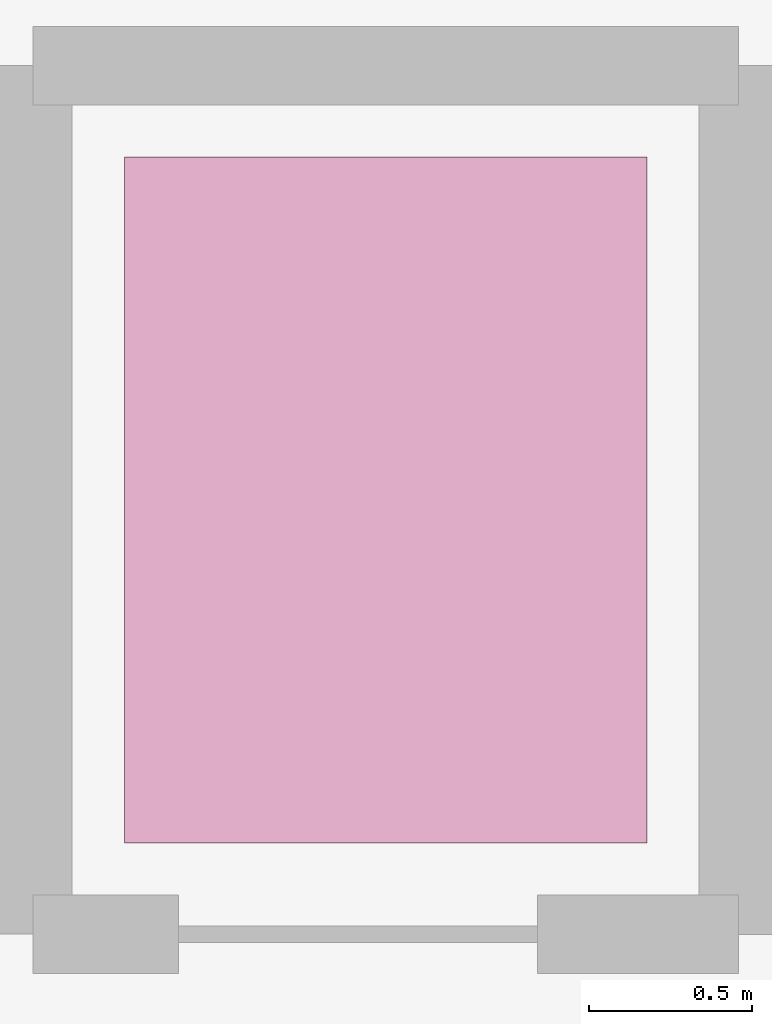
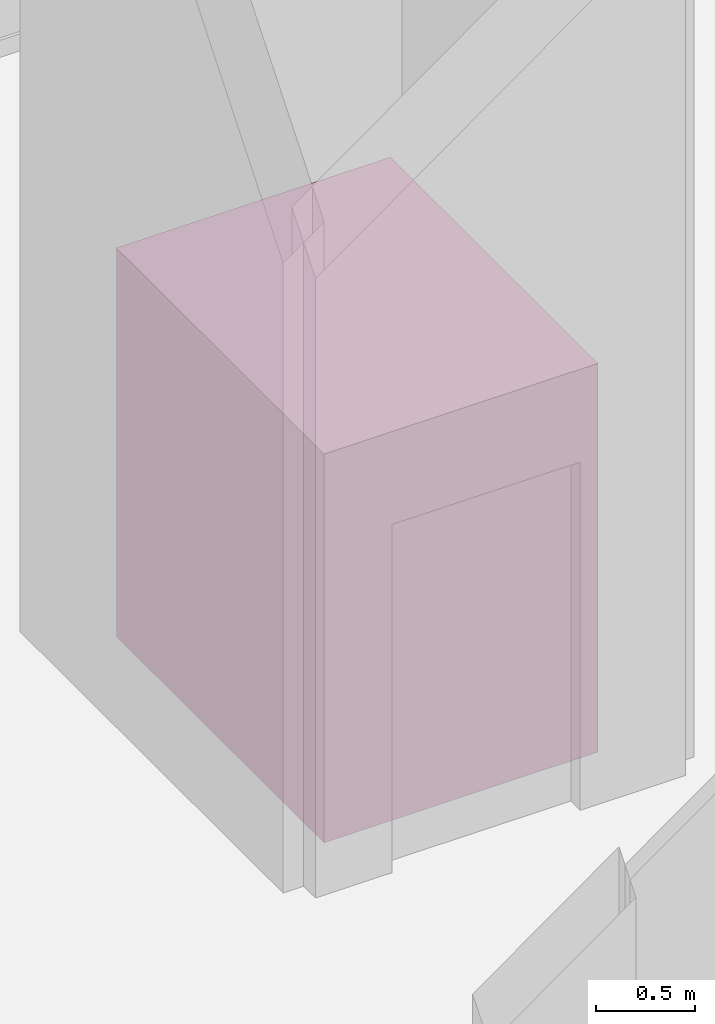
# One storey, part 158 of 158: 1 transport element.
"""IFC4 building model written with IfcOpenShell, lengths in metres."""

from ifc_helpers import new_model, si_unit, derived_unit, direction, frame, origin, origin_2d, place, context, subcontext, project, spatial, rectangle, extrude, material, type_object, element, save


model = new_model("IFC4")

# Units and contexts
model_context = context("Model", 3, precision=1e-05, world=origin(), true_north=direction((0.0, 1.0)))
body_context = subcontext(model_context, "Body", "Model", "MODEL_VIEW")
ifc_project = project(units=[si_unit("LENGTHUNIT", "METRE"), si_unit("AREAUNIT", "SQUARE_METRE"), si_unit("VOLUMEUNIT", "CUBIC_METRE"), si_unit("PLANEANGLEUNIT", "RADIAN"), si_unit("MASSUNIT", "GRAM", prefix="KILO"), si_unit("THERMODYNAMICTEMPERATUREUNIT", "KELVIN"), si_unit("TIMEUNIT", "SECOND"), derived_unit("THERMALTRANSMITTANCEUNIT", [(si_unit("MASSUNIT", "GRAM", prefix="KILO"), 1), (si_unit("THERMODYNAMICTEMPERATUREUNIT", "KELVIN"), -1), (si_unit("TIMEUNIT", "SECOND"), -3)])], contexts=[model_context])

# Site, building, storey
site_placement = place(None, origin())
site = spatial("IfcSite", under=ifc_project, at=site_placement, CompositionType="ELEMENT")
building_placement = place(site_placement, origin())
building = spatial("IfcBuilding", under=site, at=building_placement, Name="Cambertide Market Hall", CompositionType="ELEMENT")
storey_placement = place(building_placement, origin())
storey = spatial("IfcBuildingStorey", under=building, at=storey_placement, Name="L01", CompositionType="ELEMENT", Elevation=0.0)

# Transport element
ifc_material = material(Name="Stainless Steel Grade 316", Category="metal")
transport_element_type = type_object("IfcTransportElementType", Name="Passenger Lift Car 1600 kg", PredefinedType="ELEVATOR", material=ifc_material)
transport_element_placement = place(storey_placement, frame((64.5, 86.199951171875, 0.0), z_axis=(0.0, 0.0, 1.0), x_axis=(1.0, 0.0, 0.0)))
element("IfcTransportElement", 1, at=transport_element_placement, inside=storey, type_object=transport_element_type, Name="Passenger Lift LP-01", PredefinedType="ELEVATOR", context=body_context, shape_type="SweptSolid", body=[
    extrude(rectangle(XDim=1.60009765625, YDim=2.10009765625, at=origin_2d()), origin(), (0.0, 0.0, 1.0), 2.39990234375),
])

save(model, "model.ifc")
